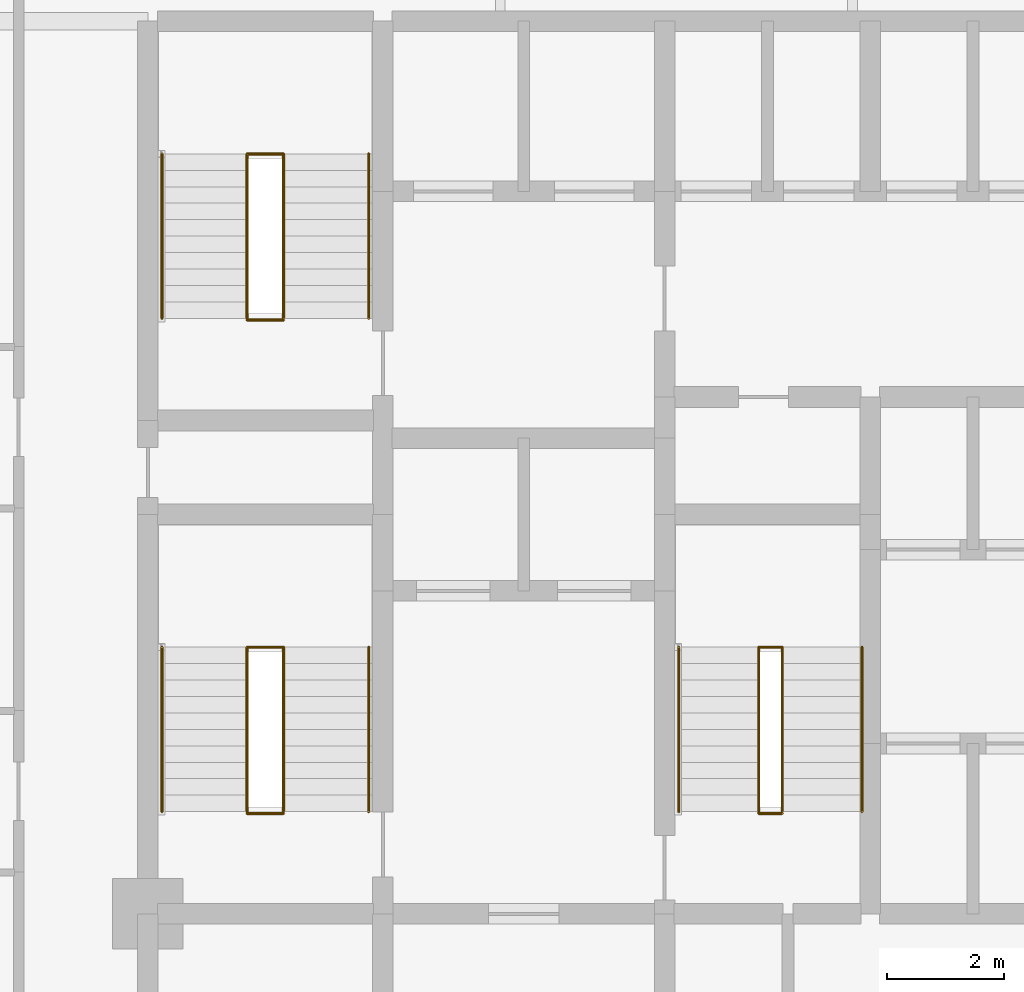
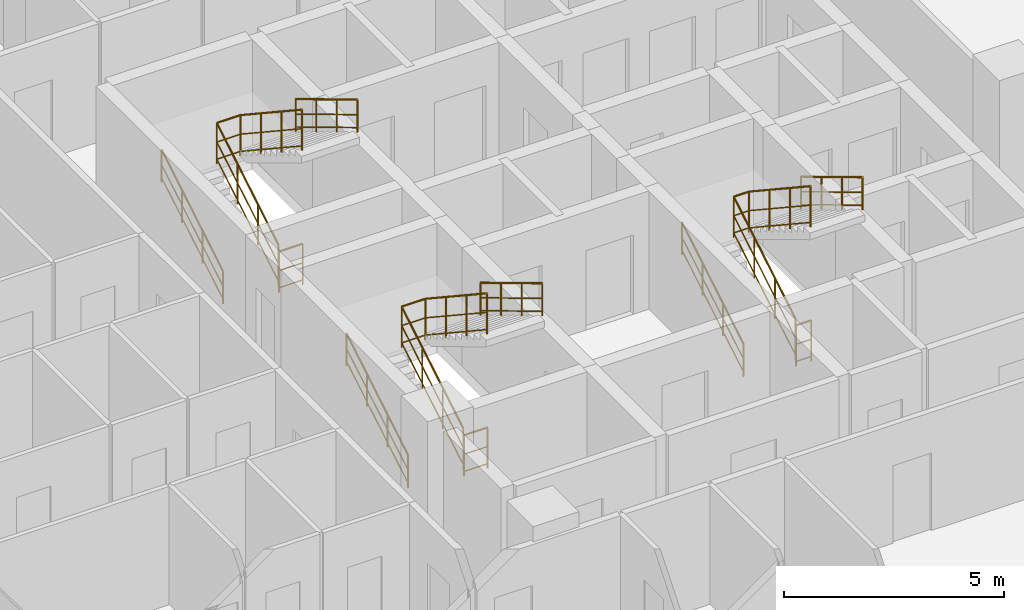
# One storey, part 33 of 33: 12 railings.
"""IFC4 building model written with IfcOpenShell, lengths in metres."""

from ifc_helpers import new_model, si_unit, direction, frame, origin, origin_2d, place, context, subcontext, project, spatial, circle, extrude, material, layer, layer_set, type_object, element, save


model = new_model("IFC4")

# Units and contexts
model_context = context("Model", 3, precision=1e-05, world=origin(), true_north=direction((0.0, 1.0)))
body_context = subcontext(model_context, "Body", "Model", "MODEL_VIEW")
ifc_project = project(units=[si_unit("LENGTHUNIT", "METRE"), si_unit("AREAUNIT", "SQUARE_METRE"), si_unit("VOLUMEUNIT", "CUBIC_METRE"), si_unit("PLANEANGLEUNIT", "RADIAN"), si_unit("MASSUNIT", "GRAM", prefix="KILO")], contexts=[model_context])

# Site, building, storey
site_placement = place(None, origin())
site = spatial("IfcSite", under=ifc_project, at=site_placement, CompositionType="ELEMENT")
building_placement = place(site_placement, origin())
building = spatial("IfcBuilding", under=site, at=building_placement, Name="Keshet Zoharim Tower", CompositionType="ELEMENT")
storey_placement = place(building_placement, frame((0.0, 0.0, 57.300048828125)))
storey = spatial("IfcBuildingStorey", under=building, at=storey_placement, Name="L13", CompositionType="ELEMENT", Elevation=57.300048828125)

# Railings
ifc_material = material(Name="Steel S355", Category="steel")
ifc_layer_1 = layer(ifc_material, 0.050048828125)
ifc_layer_set_1 = layer_set([ifc_layer_1], Name="Steel S355")
railing_type_1 = type_object("IfcRailingType", Name="RL-HND-092", PredefinedType="HANDRAIL", material=ifc_layer_set_1)
railing_1_placement = place(storey_placement, frame((15.239990234375, 24.43994140625, 0.168212890625)))
element("IfcRailing", 1, at=railing_1_placement, inside=storey, type_object=railing_type_1, Name="L13 ST-01 Flight 1 Wall Handrail", PredefinedType="HANDRAIL", context=body_context, shape_type="SweptSolid", body=[
    extrude(circle(Radius=0.02392578125, at=origin_2d()), frame((0.0, 0.0, 0.89599609375), z_axis=(0.0, 0.857275202839, 0.514858452973), x_axis=(-1.0, 0.0, 0.0)), (0.0, 0.0, 1.0), 3.26611328125),
    extrude(circle(Radius=0.01611328125, at=origin_2d()), frame((0.0, 0.0, 0.478271484375), z_axis=(0.0, 0.857275202839, 0.514858452973), x_axis=(-1.0, 0.0, 0.0)), (0.0, 0.0, 1.0), 3.26611328125),
    extrude(circle(Radius=0.01611328125, at=origin_2d()), frame((0.0, 0.0, 0.1201171875), z_axis=(0.0, 0.857275202839, 0.514858452973), x_axis=(-1.0, 0.0, 0.0)), (0.0, 0.0, 1.0), 3.26611328125),
    extrude(circle(Radius=0.02099609375, at=origin_2d()), origin(), (0.0, 0.0, 1.0), 0.871826171875),
    extrude(circle(Radius=0.02099609375, at=origin_2d()), frame((0.0, 0.933349609375, 0.560546875)), (0.0, 0.0, 1.0), 0.871826171875),
    extrude(circle(Radius=0.02099609375, at=origin_2d()), frame((0.0, 1.86669921875, 1.12109375)), (0.0, 0.0, 1.0), 0.871826171875),
    extrude(circle(Radius=0.02099609375, at=origin_2d()), frame((0.0, 2.800048828125, 1.681640625)), (0.0, 0.0, 1.0), 0.871826171875),
])
railing_2_placement = place(storey_placement, frame((18.760009765625, 27.239990234375, 2.01806640625)))
element("IfcRailing", 2, at=railing_2_placement, inside=storey, type_object=railing_type_1, Name="L13 ST-01 Flight 2 Wall Handrail", PredefinedType="HANDRAIL", context=body_context, shape_type="SweptSolid", body=[
    extrude(circle(Radius=0.02392578125, at=origin_2d()), frame((0.0, 0.0, 0.89599609375), z_axis=(0.0, -0.857242210791, 0.514913383045), x_axis=(1.0, 0.0, 0.0)), (0.0, 0.0, 1.0), 3.266357421875),
    extrude(circle(Radius=0.01611328125, at=origin_2d()), frame((0.0, 0.0, 0.478271484375), z_axis=(0.0, -0.857242210791, 0.514913383045), x_axis=(1.0, 0.0, 0.0)), (0.0, 0.0, 1.0), 3.266357421875),
    extrude(circle(Radius=0.01611328125, at=origin_2d()), frame((0.0, 0.0, 0.1201171875), z_axis=(0.0, -0.857242210791, 0.514913383045), x_axis=(1.0, 0.0, 0.0)), (0.0, 0.0, 1.0), 3.266357421875),
    extrude(circle(Radius=0.02099609375, at=origin_2d()), origin(), (0.0, 0.0, 1.0), 0.871826171875),
    extrude(circle(Radius=0.02099609375, at=origin_2d()), frame((0.0, -0.933349609375, 0.560546875)), (0.0, 0.0, 1.0), 0.871826171875),
    extrude(circle(Radius=0.02099609375, at=origin_2d()), frame((0.0, -1.86669921875, 1.121337890625)), (0.0, 0.0, 1.0), 0.871826171875),
    extrude(circle(Radius=0.02099609375, at=origin_2d()), frame((0.0, -2.800048828125, 1.681884765625)), (0.0, 0.0, 1.0), 0.871826171875),
])
railing_3_placement = place(storey_placement, frame((15.239990234375, 32.840087890625, 0.168212890625)))
element("IfcRailing", 3, at=railing_3_placement, inside=storey, type_object=railing_type_1, Name="L13 ST-02 Flight 1 Wall Handrail", PredefinedType="HANDRAIL", context=body_context, shape_type="SweptSolid", body=[
    extrude(circle(Radius=0.02392578125, at=origin_2d()), frame((0.0, 0.0, 0.89599609375), z_axis=(0.0, 0.857255387014, 0.514891446264), x_axis=(-1.0, 0.0, 0.0)), (0.0, 0.0, 1.0), 3.26611328125),
    extrude(circle(Radius=0.01611328125, at=origin_2d()), frame((0.0, 0.0, 0.478271484375), z_axis=(0.0, 0.857255387014, 0.514891446264), x_axis=(-1.0, 0.0, 0.0)), (0.0, 0.0, 1.0), 3.26611328125),
    extrude(circle(Radius=0.01611328125, at=origin_2d()), frame((0.0, 0.0, 0.1201171875), z_axis=(0.0, 0.857255387014, 0.514891446264), x_axis=(-1.0, 0.0, 0.0)), (0.0, 0.0, 1.0), 3.26611328125),
    extrude(circle(Radius=0.02099609375, at=origin_2d()), origin(), (0.0, 0.0, 1.0), 0.871826171875),
    extrude(circle(Radius=0.02099609375, at=origin_2d()), frame((0.0, 0.933349609375, 0.560546875)), (0.0, 0.0, 1.0), 0.871826171875),
    extrude(circle(Radius=0.02099609375, at=origin_2d()), frame((0.0, 1.866455078125, 1.12109375)), (0.0, 0.0, 1.0), 0.871826171875),
    extrude(circle(Radius=0.02099609375, at=origin_2d()), frame((0.0, 2.7998046875, 1.681640625)), (0.0, 0.0, 1.0), 0.871826171875),
])
railing_4_placement = place(storey_placement, frame((18.760009765625, 35.639892578125, 2.01806640625)))
element("IfcRailing", 4, at=railing_4_placement, inside=storey, type_object=railing_type_1, Name="L13 ST-02 Flight 2 Wall Handrail", PredefinedType="HANDRAIL", context=body_context, shape_type="SweptSolid", body=[
    extrude(circle(Radius=0.02392578125, at=origin_2d()), frame((0.0, 0.0, 0.89599609375), z_axis=(0.0, -0.857222391501, 0.514946377315), x_axis=(1.0, 0.0, 0.0)), (0.0, 0.0, 1.0), 3.26611328125),
    extrude(circle(Radius=0.01611328125, at=origin_2d()), frame((0.0, 0.0, 0.478271484375), z_axis=(0.0, -0.857222391501, 0.514946377315), x_axis=(1.0, 0.0, 0.0)), (0.0, 0.0, 1.0), 3.26611328125),
    extrude(circle(Radius=0.01611328125, at=origin_2d()), frame((0.0, 0.0, 0.1201171875), z_axis=(0.0, -0.857222391501, 0.514946377315), x_axis=(1.0, 0.0, 0.0)), (0.0, 0.0, 1.0), 3.26611328125),
    extrude(circle(Radius=0.02099609375, at=origin_2d()), origin(), (0.0, 0.0, 1.0), 0.871826171875),
    extrude(circle(Radius=0.02099609375, at=origin_2d()), frame((0.0, -0.933349609375, 0.560546875)), (0.0, 0.0, 1.0), 0.871826171875),
    extrude(circle(Radius=0.02099609375, at=origin_2d()), frame((0.0, -1.866455078125, 1.121337890625)), (0.0, 0.0, 1.0), 0.871826171875),
    extrude(circle(Radius=0.02099609375, at=origin_2d()), frame((0.0, -2.7998046875, 1.681884765625)), (0.0, 0.0, 1.0), 0.871826171875),
])
railing_5_placement = place(storey_placement, frame((24.0400390625, 24.43994140625, 0.168212890625)))
element("IfcRailing", 5, at=railing_5_placement, inside=storey, type_object=railing_type_1, Name="L13 ST-03 Flight 1 Wall Handrail", PredefinedType="HANDRAIL", context=body_context, shape_type="SweptSolid", body=[
    extrude(circle(Radius=0.02392578125, at=origin_2d()), frame((0.0, 0.0, 0.89599609375), z_axis=(0.0, 0.857275202839, 0.514858452973), x_axis=(-1.0, 0.0, 0.0)), (0.0, 0.0, 1.0), 3.26611328125),
    extrude(circle(Radius=0.01611328125, at=origin_2d()), frame((0.0, 0.0, 0.478271484375), z_axis=(0.0, 0.857275202839, 0.514858452973), x_axis=(-1.0, 0.0, 0.0)), (0.0, 0.0, 1.0), 3.26611328125),
    extrude(circle(Radius=0.01611328125, at=origin_2d()), frame((0.0, 0.0, 0.1201171875), z_axis=(0.0, 0.857275202839, 0.514858452973), x_axis=(-1.0, 0.0, 0.0)), (0.0, 0.0, 1.0), 3.26611328125),
    extrude(circle(Radius=0.02099609375, at=origin_2d()), origin(), (0.0, 0.0, 1.0), 0.871826171875),
    extrude(circle(Radius=0.02099609375, at=origin_2d()), frame((0.0, 0.933349609375, 0.560546875)), (0.0, 0.0, 1.0), 0.871826171875),
    extrude(circle(Radius=0.02099609375, at=origin_2d()), frame((0.0, 1.86669921875, 1.12109375)), (0.0, 0.0, 1.0), 0.871826171875),
    extrude(circle(Radius=0.02099609375, at=origin_2d()), frame((0.0, 2.800048828125, 1.681640625)), (0.0, 0.0, 1.0), 0.871826171875),
])
railing_6_placement = place(storey_placement, frame((27.159912109375, 27.239990234375, 2.01806640625)))
element("IfcRailing", 6, at=railing_6_placement, inside=storey, type_object=railing_type_1, Name="L13 ST-03 Flight 2 Wall Handrail", PredefinedType="HANDRAIL", context=body_context, shape_type="SweptSolid", body=[
    extrude(circle(Radius=0.02392578125, at=origin_2d()), frame((0.0, 0.0, 0.89599609375), z_axis=(0.0, -0.857242210791, 0.514913383045), x_axis=(1.0, 0.0, 0.0)), (0.0, 0.0, 1.0), 3.266357421875),
    extrude(circle(Radius=0.01611328125, at=origin_2d()), frame((0.0, 0.0, 0.478271484375), z_axis=(0.0, -0.857242210791, 0.514913383045), x_axis=(1.0, 0.0, 0.0)), (0.0, 0.0, 1.0), 3.266357421875),
    extrude(circle(Radius=0.01611328125, at=origin_2d()), frame((0.0, 0.0, 0.1201171875), z_axis=(0.0, -0.857242210791, 0.514913383045), x_axis=(1.0, 0.0, 0.0)), (0.0, 0.0, 1.0), 3.266357421875),
    extrude(circle(Radius=0.02099609375, at=origin_2d()), origin(), (0.0, 0.0, 1.0), 0.871826171875),
    extrude(circle(Radius=0.02099609375, at=origin_2d()), frame((0.0, -0.933349609375, 0.560546875)), (0.0, 0.0, 1.0), 0.871826171875),
    extrude(circle(Radius=0.02099609375, at=origin_2d()), frame((0.0, -1.86669921875, 1.121337890625)), (0.0, 0.0, 1.0), 0.871826171875),
    extrude(circle(Radius=0.02099609375, at=origin_2d()), frame((0.0, -2.800048828125, 1.681884765625)), (0.0, 0.0, 1.0), 0.871826171875),
])
ifc_layer_2 = layer(ifc_material, 0.06005859375)
ifc_layer_set_2 = layer_set([ifc_layer_2], Name="Steel S355")
railing_type_2 = type_object("IfcRailingType", Name="RL-STG-115", PredefinedType="GUARDRAIL", material=ifc_layer_set_2)
railing_7_placement = place(storey_placement, frame((16.68994140625, 24.43994140625, 0.168212890625)))
element("IfcRailing", 7, at=railing_7_placement, inside=storey, type_object=railing_type_2, Name="L13 ST-01 Inner Well Guardrail", PredefinedType="GUARDRAIL", context=body_context, shape_type="SweptSolid", body=[
    extrude(circle(Radius=0.02392578125, at=origin_2d()), frame((0.0, 0.0, 1.1259765625), z_axis=(0.0, 0.857275202839, 0.514858452973), x_axis=(-1.0, 0.0, 0.0)), (0.0, 0.0, 1.0), 3.26611328125),
    extrude(circle(Radius=0.01611328125, at=origin_2d()), frame((0.0, 0.0, 0.597900390625), z_axis=(0.0, 0.857275202839, 0.514858452973), x_axis=(-1.0, 0.0, 0.0)), (0.0, 0.0, 1.0), 3.26611328125),
    extrude(circle(Radius=0.01611328125, at=origin_2d()), frame((0.0, 0.0, 0.1201171875), z_axis=(0.0, 0.857275202839, 0.514858452973), x_axis=(-1.0, 0.0, 0.0)), (0.0, 0.0, 1.0), 3.26611328125),
    extrude(circle(Radius=0.02392578125, at=origin_2d()), frame((0.0, 2.800048828125, 2.8076171875), z_axis=(1.0, 0.0, 0.0), x_axis=(0.0, 1.0, 0.0)), (0.0, 0.0, 1.0), 0.6201171875),
    extrude(circle(Radius=0.01611328125, at=origin_2d()), frame((0.0, 2.800048828125, 2.279541015625), z_axis=(1.0, 0.0, 0.0), x_axis=(0.0, 1.0, 0.0)), (0.0, 0.0, 1.0), 0.6201171875),
    extrude(circle(Radius=0.01611328125, at=origin_2d()), frame((0.0, 2.800048828125, 1.8017578125), z_axis=(1.0, 0.0, 0.0), x_axis=(0.0, 1.0, 0.0)), (0.0, 0.0, 1.0), 0.6201171875),
    extrude(circle(Radius=0.02392578125, at=origin_2d()), frame((0.6201171875, 2.800048828125, 2.8076171875), z_axis=(0.0, -0.834326358476, 0.551270829586), x_axis=(1.0, 0.0, 0.0)), (0.0, 0.0, 1.0), 3.35595703125),
    extrude(circle(Radius=0.01611328125, at=origin_2d()), frame((0.6201171875, 2.800048828125, 2.279541015625), z_axis=(0.0, -0.834326358476, 0.551270829586), x_axis=(1.0, 0.0, 0.0)), (0.0, 0.0, 1.0), 3.35595703125),
    extrude(circle(Radius=0.01611328125, at=origin_2d()), frame((0.6201171875, 2.800048828125, 1.8017578125), z_axis=(0.0, -0.834326358476, 0.551270829586), x_axis=(1.0, 0.0, 0.0)), (0.0, 0.0, 1.0), 3.35595703125),
    extrude(circle(Radius=0.02099609375, at=origin_2d()), origin(), (0.0, 0.0, 1.0), 1.101806640625),
    extrude(circle(Radius=0.02099609375, at=origin_2d()), frame((0.0, 0.933349609375, 0.560546875)), (0.0, 0.0, 1.0), 1.101806640625),
    extrude(circle(Radius=0.02099609375, at=origin_2d()), frame((0.0, 1.86669921875, 1.12109375)), (0.0, 0.0, 1.0), 1.101806640625),
    extrude(circle(Radius=0.02099609375, at=origin_2d()), frame((0.0, 2.800048828125, 1.681640625)), (0.0, 0.0, 1.0), 1.101806640625),
    extrude(circle(Radius=0.02099609375, at=origin_2d()), frame((0.6201171875, 2.800048828125, 1.681640625)), (0.0, 0.0, 1.0), 1.101806640625),
    extrude(circle(Radius=0.02099609375, at=origin_2d()), frame((0.6201171875, 1.86669921875, 2.29833984375)), (0.0, 0.0, 1.0), 1.101806640625),
    extrude(circle(Radius=0.02099609375, at=origin_2d()), frame((0.6201171875, 0.933349609375, 2.9150390625)), (0.0, 0.0, 1.0), 1.101806640625),
    extrude(circle(Radius=0.02099609375, at=origin_2d()), frame((0.6201171875, 0.0, 3.53173828125)), (0.0, 0.0, 1.0), 1.101806640625),
])
railing_8_placement = place(storey_placement, frame((16.68994140625, 24.409912109375, 0.0)))
element("IfcRailing", 8, at=railing_8_placement, inside=storey, type_object=railing_type_2, Name="L13 ST-01 Stairwell Floor Guardrail", PredefinedType="GUARDRAIL", context=body_context, shape_type="SweptSolid", body=[
    extrude(circle(Radius=0.02392578125, at=origin_2d()), frame((0.0, 0.0, 1.1259765625), z_axis=(1.0, 0.0, 0.0), x_axis=(0.0, 1.0, 0.0)), (0.0, 0.0, 1.0), 0.6201171875),
    extrude(circle(Radius=0.01611328125, at=origin_2d()), frame((0.0, 0.0, 0.597900390625), z_axis=(1.0, 0.0, 0.0), x_axis=(0.0, 1.0, 0.0)), (0.0, 0.0, 1.0), 0.6201171875),
    extrude(circle(Radius=0.01611328125, at=origin_2d()), frame((0.0, 0.0, 0.1201171875), z_axis=(1.0, 0.0, 0.0), x_axis=(0.0, 1.0, 0.0)), (0.0, 0.0, 1.0), 0.6201171875),
    extrude(circle(Radius=0.02099609375, at=origin_2d()), origin(), (0.0, 0.0, 1.0), 1.101806640625),
    extrude(circle(Radius=0.02099609375, at=origin_2d()), frame((0.6201171875, 0.0, 0.0)), (0.0, 0.0, 1.0), 1.101806640625),
])
railing_9_placement = place(storey_placement, frame((16.68994140625, 32.840087890625, 0.168212890625)))
element("IfcRailing", 9, at=railing_9_placement, inside=storey, type_object=railing_type_2, Name="L13 ST-02 Inner Well Guardrail", PredefinedType="GUARDRAIL", context=body_context, shape_type="SweptSolid", body=[
    extrude(circle(Radius=0.02392578125, at=origin_2d()), frame((0.0, 0.0, 1.1259765625), z_axis=(0.0, 0.857255387014, 0.514891446264), x_axis=(-1.0, 0.0, 0.0)), (0.0, 0.0, 1.0), 3.26611328125),
    extrude(circle(Radius=0.01611328125, at=origin_2d()), frame((0.0, 0.0, 0.597900390625), z_axis=(0.0, 0.857255387014, 0.514891446264), x_axis=(-1.0, 0.0, 0.0)), (0.0, 0.0, 1.0), 3.26611328125),
    extrude(circle(Radius=0.01611328125, at=origin_2d()), frame((0.0, 0.0, 0.1201171875), z_axis=(0.0, 0.857255387014, 0.514891446264), x_axis=(-1.0, 0.0, 0.0)), (0.0, 0.0, 1.0), 3.26611328125),
    extrude(circle(Radius=0.02392578125, at=origin_2d()), frame((0.0, 2.7998046875, 2.8076171875), z_axis=(1.0, 0.0, 0.0), x_axis=(0.0, 1.0, 0.0)), (0.0, 0.0, 1.0), 0.6201171875),
    extrude(circle(Radius=0.01611328125, at=origin_2d()), frame((0.0, 2.7998046875, 2.279541015625), z_axis=(1.0, 0.0, 0.0), x_axis=(0.0, 1.0, 0.0)), (0.0, 0.0, 1.0), 0.6201171875),
    extrude(circle(Radius=0.01611328125, at=origin_2d()), frame((0.0, 2.7998046875, 1.8017578125), z_axis=(1.0, 0.0, 0.0), x_axis=(0.0, 1.0, 0.0)), (0.0, 0.0, 1.0), 0.6201171875),
    extrude(circle(Radius=0.02392578125, at=origin_2d()), frame((0.6201171875, 2.7998046875, 2.8076171875), z_axis=(0.0, -0.834304248922, 0.551304290053), x_axis=(1.0, 0.0, 0.0)), (0.0, 0.0, 1.0), 3.35595703125),
    extrude(circle(Radius=0.01611328125, at=origin_2d()), frame((0.6201171875, 2.7998046875, 2.279541015625), z_axis=(0.0, -0.834304248922, 0.551304290053), x_axis=(1.0, 0.0, 0.0)), (0.0, 0.0, 1.0), 3.35595703125),
    extrude(circle(Radius=0.01611328125, at=origin_2d()), frame((0.6201171875, 2.7998046875, 1.8017578125), z_axis=(0.0, -0.834304248922, 0.551304290053), x_axis=(1.0, 0.0, 0.0)), (0.0, 0.0, 1.0), 3.35595703125),
    extrude(circle(Radius=0.02099609375, at=origin_2d()), origin(), (0.0, 0.0, 1.0), 1.101806640625),
    extrude(circle(Radius=0.02099609375, at=origin_2d()), frame((0.0, 0.933349609375, 0.560546875)), (0.0, 0.0, 1.0), 1.101806640625),
    extrude(circle(Radius=0.02099609375, at=origin_2d()), frame((0.0, 1.866455078125, 1.12109375)), (0.0, 0.0, 1.0), 1.101806640625),
    extrude(circle(Radius=0.02099609375, at=origin_2d()), frame((0.0, 2.7998046875, 1.681640625)), (0.0, 0.0, 1.0), 1.101806640625),
    extrude(circle(Radius=0.02099609375, at=origin_2d()), frame((0.6201171875, 2.7998046875, 1.681640625)), (0.0, 0.0, 1.0), 1.101806640625),
    extrude(circle(Radius=0.02099609375, at=origin_2d()), frame((0.6201171875, 1.866455078125, 2.29833984375)), (0.0, 0.0, 1.0), 1.101806640625),
    extrude(circle(Radius=0.02099609375, at=origin_2d()), frame((0.6201171875, 0.933349609375, 2.9150390625)), (0.0, 0.0, 1.0), 1.101806640625),
    extrude(circle(Radius=0.02099609375, at=origin_2d()), frame((0.6201171875, 0.0, 3.53173828125)), (0.0, 0.0, 1.0), 1.101806640625),
])
railing_10_placement = place(storey_placement, frame((16.68994140625, 32.81005859375, 0.0)))
element("IfcRailing", 10, at=railing_10_placement, inside=storey, type_object=railing_type_2, Name="L13 ST-02 Stairwell Floor Guardrail", PredefinedType="GUARDRAIL", context=body_context, shape_type="SweptSolid", body=[
    extrude(circle(Radius=0.02392578125, at=origin_2d()), frame((0.0, 0.0, 1.1259765625), z_axis=(1.0, 0.0, 0.0), x_axis=(0.0, 1.0, 0.0)), (0.0, 0.0, 1.0), 0.6201171875),
    extrude(circle(Radius=0.01611328125, at=origin_2d()), frame((0.0, 0.0, 0.597900390625), z_axis=(1.0, 0.0, 0.0), x_axis=(0.0, 1.0, 0.0)), (0.0, 0.0, 1.0), 0.6201171875),
    extrude(circle(Radius=0.01611328125, at=origin_2d()), frame((0.0, 0.0, 0.1201171875), z_axis=(1.0, 0.0, 0.0), x_axis=(0.0, 1.0, 0.0)), (0.0, 0.0, 1.0), 0.6201171875),
    extrude(circle(Radius=0.02099609375, at=origin_2d()), origin(), (0.0, 0.0, 1.0), 1.101806640625),
    extrude(circle(Radius=0.02099609375, at=origin_2d()), frame((0.6201171875, 0.0, 0.0)), (0.0, 0.0, 1.0), 1.101806640625),
])
railing_11_placement = place(storey_placement, frame((25.39990234375, 24.43994140625, 0.168212890625)))
element("IfcRailing", 11, at=railing_11_placement, inside=storey, type_object=railing_type_2, Name="L13 ST-03 Inner Well Guardrail", PredefinedType="GUARDRAIL", context=body_context, shape_type="SweptSolid", body=[
    extrude(circle(Radius=0.02392578125, at=origin_2d()), frame((0.0, 0.0, 1.1259765625), z_axis=(0.0, 0.857275202839, 0.514858452973), x_axis=(-1.0, 0.0, 0.0)), (0.0, 0.0, 1.0), 3.26611328125),
    extrude(circle(Radius=0.01611328125, at=origin_2d()), frame((0.0, 0.0, 0.597900390625), z_axis=(0.0, 0.857275202839, 0.514858452973), x_axis=(-1.0, 0.0, 0.0)), (0.0, 0.0, 1.0), 3.26611328125),
    extrude(circle(Radius=0.01611328125, at=origin_2d()), frame((0.0, 0.0, 0.1201171875), z_axis=(0.0, 0.857275202839, 0.514858452973), x_axis=(-1.0, 0.0, 0.0)), (0.0, 0.0, 1.0), 3.26611328125),
    extrude(circle(Radius=0.02392578125, at=origin_2d()), frame((0.0, 2.800048828125, 2.8076171875), z_axis=(1.0, 0.0, 0.0), x_axis=(0.0, 1.0, 0.0)), (0.0, 0.0, 1.0), 0.400146484375),
    extrude(circle(Radius=0.01611328125, at=origin_2d()), frame((0.0, 2.800048828125, 2.279541015625), z_axis=(1.0, 0.0, 0.0), x_axis=(0.0, 1.0, 0.0)), (0.0, 0.0, 1.0), 0.400146484375),
    extrude(circle(Radius=0.01611328125, at=origin_2d()), frame((0.0, 2.800048828125, 1.8017578125), z_axis=(1.0, 0.0, 0.0), x_axis=(0.0, 1.0, 0.0)), (0.0, 0.0, 1.0), 0.400146484375),
    extrude(circle(Radius=0.02392578125, at=origin_2d()), frame((0.400146484375, 2.800048828125, 2.8076171875), z_axis=(0.0, -0.834326358476, 0.551270829586), x_axis=(1.0, 0.0, 0.0)), (0.0, 0.0, 1.0), 3.35595703125),
    extrude(circle(Radius=0.01611328125, at=origin_2d()), frame((0.400146484375, 2.800048828125, 2.279541015625), z_axis=(0.0, -0.834326358476, 0.551270829586), x_axis=(1.0, 0.0, 0.0)), (0.0, 0.0, 1.0), 3.35595703125),
    extrude(circle(Radius=0.01611328125, at=origin_2d()), frame((0.400146484375, 2.800048828125, 1.8017578125), z_axis=(0.0, -0.834326358476, 0.551270829586), x_axis=(1.0, 0.0, 0.0)), (0.0, 0.0, 1.0), 3.35595703125),
    extrude(circle(Radius=0.02099609375, at=origin_2d()), origin(), (0.0, 0.0, 1.0), 1.101806640625),
    extrude(circle(Radius=0.02099609375, at=origin_2d()), frame((0.0, 0.933349609375, 0.560546875)), (0.0, 0.0, 1.0), 1.101806640625),
    extrude(circle(Radius=0.02099609375, at=origin_2d()), frame((0.0, 1.86669921875, 1.12109375)), (0.0, 0.0, 1.0), 1.101806640625),
    extrude(circle(Radius=0.02099609375, at=origin_2d()), frame((0.0, 2.800048828125, 1.681640625)), (0.0, 0.0, 1.0), 1.101806640625),
    extrude(circle(Radius=0.02099609375, at=origin_2d()), frame((0.400146484375, 2.800048828125, 1.681640625)), (0.0, 0.0, 1.0), 1.101806640625),
    extrude(circle(Radius=0.02099609375, at=origin_2d()), frame((0.400146484375, 1.86669921875, 2.29833984375)), (0.0, 0.0, 1.0), 1.101806640625),
    extrude(circle(Radius=0.02099609375, at=origin_2d()), frame((0.400146484375, 0.933349609375, 2.9150390625)), (0.0, 0.0, 1.0), 1.101806640625),
    extrude(circle(Radius=0.02099609375, at=origin_2d()), frame((0.400146484375, 0.0, 3.53173828125)), (0.0, 0.0, 1.0), 1.101806640625),
])
railing_12_placement = place(storey_placement, frame((25.39990234375, 24.409912109375, 0.0)))
element("IfcRailing", 12, at=railing_12_placement, inside=storey, type_object=railing_type_2, Name="L13 ST-03 Stairwell Floor Guardrail", PredefinedType="GUARDRAIL", context=body_context, shape_type="SweptSolid", body=[
    extrude(circle(Radius=0.02392578125, at=origin_2d()), frame((0.0, 0.0, 1.1259765625), z_axis=(1.0, 0.0, 0.0), x_axis=(0.0, 1.0, 0.0)), (0.0, 0.0, 1.0), 0.400146484375),
    extrude(circle(Radius=0.01611328125, at=origin_2d()), frame((0.0, 0.0, 0.597900390625), z_axis=(1.0, 0.0, 0.0), x_axis=(0.0, 1.0, 0.0)), (0.0, 0.0, 1.0), 0.400146484375),
    extrude(circle(Radius=0.01611328125, at=origin_2d()), frame((0.0, 0.0, 0.1201171875), z_axis=(1.0, 0.0, 0.0), x_axis=(0.0, 1.0, 0.0)), (0.0, 0.0, 1.0), 0.400146484375),
    extrude(circle(Radius=0.02099609375, at=origin_2d()), origin(), (0.0, 0.0, 1.0), 1.101806640625),
    extrude(circle(Radius=0.02099609375, at=origin_2d()), frame((0.400146484375, 0.0, 0.0)), (0.0, 0.0, 1.0), 1.101806640625),
])

save(model, "model.ifc")
